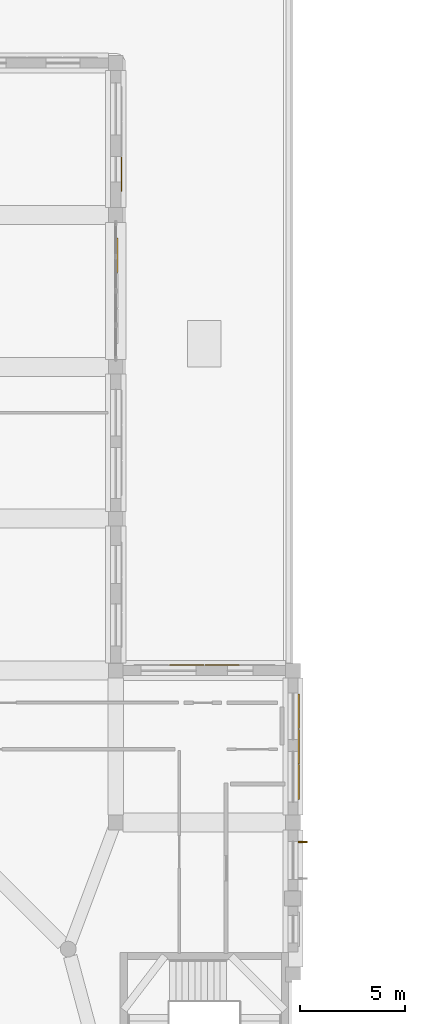
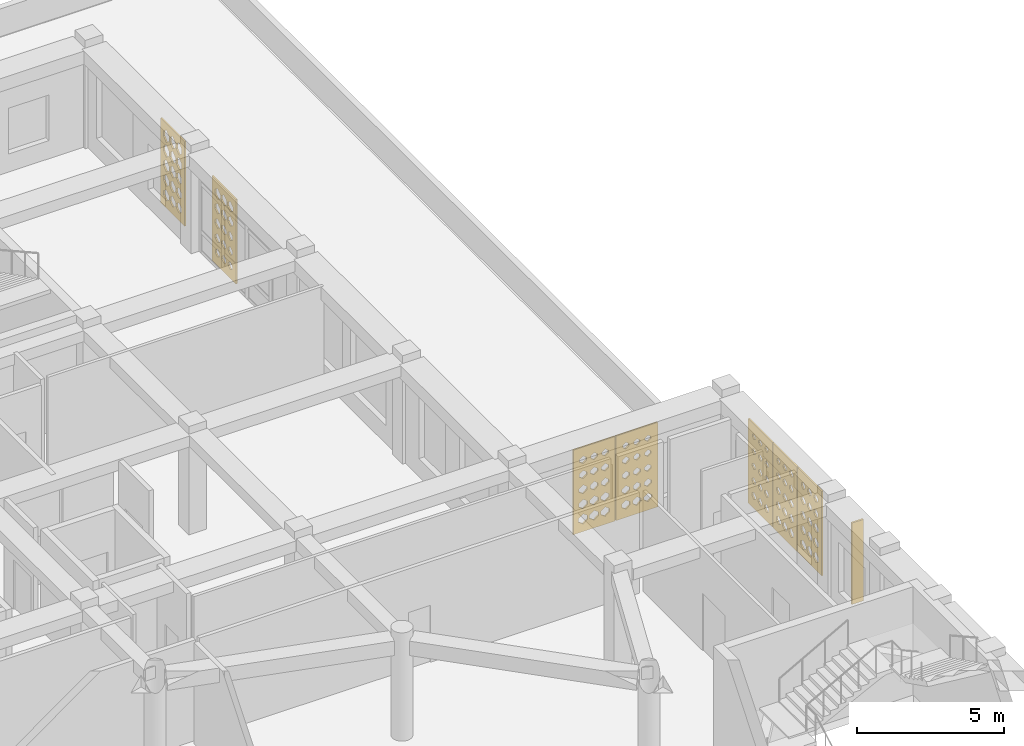
# One storey, part 94 of 100: 7 coverings, 1 shading device.
"""IFC4 building model written with IfcOpenShell, lengths in metres."""

from ifc_helpers import new_model, si_unit, derived_unit, direction, frame, origin, origin_2d, place, context, subcontext, project, spatial, polyline, rectangle, outline, extrude, material, layer, layer_set, type_object, element, save


model = new_model("IFC4")

# Units and contexts
model_context = context("Model", 3, precision=1e-05, world=origin(), true_north=direction((0.0, 1.0)))
body_context = subcontext(model_context, "Body", "Model", "MODEL_VIEW")
ifc_project = project(units=[si_unit("LENGTHUNIT", "METRE"), si_unit("AREAUNIT", "SQUARE_METRE"), si_unit("VOLUMEUNIT", "CUBIC_METRE"), si_unit("PLANEANGLEUNIT", "RADIAN"), si_unit("MASSUNIT", "GRAM", prefix="KILO"), derived_unit("THERMALTRANSMITTANCEUNIT", [(si_unit("POWERUNIT", "WATT"), 1), (si_unit("LENGTHUNIT", "METRE"), -2), (si_unit("THERMODYNAMICTEMPERATUREUNIT", "KELVIN"), -1)])], contexts=[model_context])

# Site, building, storey
site_placement = place(None, origin())
site = spatial("IfcSite", under=ifc_project, at=site_placement, CompositionType="ELEMENT")
building_placement = place(site_placement, origin())
building = spatial("IfcBuilding", under=site, at=building_placement, Name="Veybourne Emporium", CompositionType="ELEMENT")
storey_placement = place(building_placement, frame((0.0, 0.0, 14.39990234375)))
storey = spatial("IfcBuildingStorey", under=building, at=storey_placement, Name="L03", CompositionType="ELEMENT", Elevation=14.39990234375)

# Shading device
ifc_material_1 = material(Name="Patinated Architectural Bronze", Category="bronze")
shading_device_type = type_object("IfcShadingDeviceType", Name="SolarFin_FIN-02", PredefinedType="USERDEFINED", material=ifc_material_1)
shading_device_placement = place(storey_placement, frame((101.263916015625, 63.8740234375, 0.125244140625), z_axis=(0.0, 0.0, 1.0), x_axis=(0.0, -1.0, 0.0)))
element("IfcShadingDevice", 1, at=shading_device_placement, inside=storey, type_object=shading_device_type, Name="L03 bronze brise-soleil fin FIN-02 (57A.1)", ObjectType="FIN", PredefinedType="USERDEFINED", context=body_context, shape_type="SweptSolid", body=[
    extrude(rectangle(XDim=0.074951171875, YDim=0.449951171875, at=origin_2d()), origin(), (0.0, 0.0, 1.0), 3.3798828125),
])

# Coverings
ifc_material_2 = material(Name="Warm-White Perforated Aluminium Screen Alloy", Category="aluminium")
ifc_layer_1 = layer(ifc_material_2, 0.06005859375)
ifc_layer_set_1 = layer_set([ifc_layer_1], Name="Warm-White Perforated Aluminium Screen Alloy")
covering_type_1 = type_object("IfcCoveringType", Name="WaveScreen_SCR-01", PredefinedType="CLADDING", material=ifc_layer_set_1)
covering_1_placement = place(storey_placement, frame((92.697998046875, 95.52001953125, 1.815185546875), z_axis=(-1.0, 0.0, 0.0), x_axis=(0.0, -1.0, 0.0)))
element("IfcCovering", 2, at=covering_1_placement, inside=storey, type_object=covering_type_1, Name="L03 wave-perforated aluminium screen SCR-01 (46.3)", PredefinedType="CLADDING", context=body_context, shape_type="SweptSolid", body=[
    extrude(outline(polyline([(-0.81982421875, -1.7548828125), (0.81982421875, -1.7548828125), (0.81982421875, 1.7548828125), (-0.81982421875, 1.7548828125), (-0.81982421875, -1.7548828125)]), holes=[polyline([(-0.433349609375, -0.999755859375), (-0.2470703125, -1.145751953125), (-0.2470703125, -1.310302734375), (-0.433349609375, -1.456298828125), (-0.61962890625, -1.310302734375), (-0.61962890625, -1.145751953125), (-0.433349609375, -0.999755859375)]), polyline([(-0.433349609375, -0.37353515625), (-0.2470703125, -0.52734375), (-0.2470703125, -0.70068359375), (-0.433349609375, -0.8544921875), (-0.61962890625, -0.70068359375), (-0.61962890625, -0.52734375), (-0.433349609375, -0.37353515625)]), polyline([(-0.433349609375, 0.251220703125), (-0.2470703125, 0.090576171875), (-0.2470703125, -0.090576171875), (-0.433349609375, -0.251220703125), (-0.61962890625, -0.090576171875), (-0.61962890625, 0.090576171875), (-0.433349609375, 0.251220703125)]), polyline([(-0.433349609375, 0.874267578125), (-0.2470703125, 0.707763671875), (-0.2470703125, 0.520263671875), (-0.433349609375, 0.353759765625), (-0.61962890625, 0.520263671875), (-0.61962890625, 0.707763671875), (-0.433349609375, 0.874267578125)]), polyline([(-0.433349609375, 1.491943359375), (-0.2470703125, 1.322998046875), (-0.2470703125, 1.133056640625), (-0.433349609375, 0.964111328125), (-0.61962890625, 1.133056640625), (-0.61962890625, 1.322998046875), (-0.433349609375, 1.491943359375)]), polyline([(0.0, -1.005615234375), (0.186279296875, -1.14794921875), (0.186279296875, -1.30810546875), (0.0, -1.450439453125), (-0.186279296875, -1.30810546875), (-0.186279296875, -1.14794921875), (0.0, -1.005615234375)]), polyline([(0.0, -0.37890625), (0.186279296875, -0.529296875), (0.186279296875, -0.698486328125), (0.0, -0.84912109375), (-0.186279296875, -0.698486328125), (-0.186279296875, -0.529296875), (0.0, -0.37890625)]), polyline([(0.0, 0.24658203125), (0.186279296875, 0.0888671875), (0.186279296875, -0.0888671875), (0.0, -0.24658203125), (-0.186279296875, -0.0888671875), (-0.186279296875, 0.0888671875), (0.0, 0.24658203125)]), polyline([(0.0, 0.870361328125), (0.186279296875, 0.706298828125), (0.186279296875, 0.521728515625), (0.0, 0.357666015625), (-0.186279296875, 0.521728515625), (-0.186279296875, 0.706298828125), (0.0, 0.870361328125)]), polyline([(0.0, 1.491943359375), (0.186279296875, 1.322998046875), (0.186279296875, 1.133056640625), (0.0, 0.964111328125), (-0.186279296875, 1.133056640625), (-0.186279296875, 1.322998046875), (0.0, 1.491943359375)]), polyline([(0.433349609375, -1.01171875), (0.61962890625, -1.150146484375), (0.61962890625, -1.305908203125), (0.433349609375, -1.4443359375), (0.2470703125, -1.305908203125), (0.2470703125, -1.150146484375), (0.433349609375, -1.01171875)]), polyline([(0.433349609375, -0.384521484375), (0.61962890625, -0.531494140625), (0.61962890625, -0.696533203125), (0.433349609375, -0.843505859375), (0.2470703125, -0.696533203125), (0.2470703125, -0.531494140625), (0.433349609375, -0.384521484375)]), polyline([(0.433349609375, 0.24169921875), (0.61962890625, 0.0869140625), (0.61962890625, -0.0869140625), (0.433349609375, -0.24169921875), (0.2470703125, -0.0869140625), (0.2470703125, 0.0869140625), (0.433349609375, 0.24169921875)]), polyline([(0.433349609375, 0.8662109375), (0.61962890625, 0.704833984375), (0.61962890625, 0.523193359375), (0.433349609375, 0.36181640625), (0.2470703125, 0.523193359375), (0.2470703125, 0.704833984375), (0.433349609375, 0.8662109375)]), polyline([(0.433349609375, 1.489013671875), (0.61962890625, 1.322021484375), (0.61962890625, 1.134033203125), (0.433349609375, 0.966796875), (0.2470703125, 1.134033203125), (0.2470703125, 1.322021484375), (0.433349609375, 1.489013671875)])]), origin(), (0.0, 0.0, 1.0), 0.06005859375),
])
covering_2_placement = place(storey_placement, frame((101.09814453125, 66.719970703125, 1.815185546875), z_axis=(-1.0, 0.0, 0.0), x_axis=(0.0, -1.0, 0.0)))
element("IfcCovering", 3, at=covering_2_placement, inside=storey, type_object=covering_type_1, Name="L03 wave-perforated aluminium screen SCR-01 (58.3)", PredefinedType="CLADDING", context=body_context, shape_type="SweptSolid", body=[
    extrude(outline(polyline([(-0.81982421875, -1.7548828125), (0.81982421875, -1.7548828125), (0.81982421875, 1.7548828125), (-0.81982421875, 1.7548828125), (-0.81982421875, -1.7548828125)]), holes=[polyline([(-0.433349609375, -1.02880859375), (-0.260498046875, -1.15625), (-0.260498046875, -1.2998046875), (-0.433349609375, -1.42724609375), (-0.606201171875, -1.2998046875), (-0.606201171875, -1.15625), (-0.433349609375, -1.02880859375)]), polyline([(-0.433349609375, -0.428955078125), (-0.27197265625, -0.54736328125), (-0.27197265625, -0.6806640625), (-0.433349609375, -0.799072265625), (-0.5947265625, -0.6806640625), (-0.5947265625, -0.54736328125), (-0.433349609375, -0.428955078125)]), polyline([(-0.433349609375, 0.171142578125), (-0.283447265625, 0.0615234375), (-0.283447265625, -0.0615234375), (-0.433349609375, -0.171142578125), (-0.583251953125, -0.0615234375), (-0.583251953125, 0.0615234375), (-0.433349609375, 0.171142578125)]), polyline([(-0.433349609375, 0.771728515625), (-0.294189453125, 0.6708984375), (-0.294189453125, 0.55712890625), (-0.433349609375, 0.456298828125), (-0.572509765625, 0.55712890625), (-0.572509765625, 0.6708984375), (-0.433349609375, 0.771728515625)]), polyline([(-0.433349609375, 1.37353515625), (-0.30419921875, 1.280517578125), (-0.30419921875, 1.175537109375), (-0.433349609375, 1.08251953125), (-0.5625, 1.175537109375), (-0.5625, 1.280517578125), (-0.433349609375, 1.37353515625)]), polyline([(0.0, -1.0224609375), (0.17822265625, -1.154052734375), (0.17822265625, -1.302001953125), (0.0, -1.43359375), (-0.17822265625, -1.302001953125), (-0.17822265625, -1.154052734375), (0.0, -1.0224609375)]), polyline([(0.0, -0.422607421875), (0.16650390625, -0.545166015625), (0.16650390625, -0.682861328125), (0.0, -0.805419921875), (-0.16650390625, -0.682861328125), (-0.16650390625, -0.545166015625), (0.0, -0.422607421875)]), polyline([(0.0, 0.177490234375), (0.155029296875, 0.06396484375), (0.155029296875, -0.06396484375), (0.0, -0.177490234375), (-0.155029296875, -0.06396484375), (-0.155029296875, 0.06396484375), (0.0, 0.177490234375)]), polyline([(0.0, 0.777587890625), (0.143798828125, 0.6728515625), (0.143798828125, 0.55517578125), (0.0, 0.4501953125), (-0.143798828125, 0.55517578125), (-0.143798828125, 0.6728515625), (0.0, 0.777587890625)]), polyline([(0.0, 1.37890625), (0.133544921875, 1.2822265625), (0.133544921875, 1.173583984375), (0.0, 1.0771484375), (-0.133544921875, 1.173583984375), (-0.133544921875, 1.2822265625), (0.0, 1.37890625)]), polyline([(0.433349609375, -1.01611328125), (0.61669921875, -1.151611328125), (0.61669921875, -1.30419921875), (0.433349609375, -1.43994140625), (0.25, -1.30419921875), (0.25, -1.151611328125), (0.433349609375, -1.01611328125)]), polyline([(0.433349609375, -0.416015625), (0.605224609375, -0.542724609375), (0.605224609375, -0.685302734375), (0.433349609375, -0.81201171875), (0.261474609375, -0.685302734375), (0.261474609375, -0.542724609375), (0.433349609375, -0.416015625)]), polyline([(0.433349609375, 0.18359375), (0.59375, 0.066162109375), (0.59375, -0.066162109375), (0.433349609375, -0.18359375), (0.27294921875, -0.066162109375), (0.27294921875, 0.066162109375), (0.433349609375, 0.18359375)]), polyline([(0.433349609375, 0.78369140625), (0.582275390625, 0.675048828125), (0.582275390625, 0.552978515625), (0.433349609375, 0.444091796875), (0.284423828125, 0.552978515625), (0.284423828125, 0.675048828125), (0.433349609375, 0.78369140625)]), polyline([(0.433349609375, 1.384521484375), (0.571533203125, 1.284423828125), (0.571533203125, 1.171630859375), (0.433349609375, 1.0712890625), (0.295166015625, 1.171630859375), (0.295166015625, 1.284423828125), (0.433349609375, 1.384521484375)])]), origin(), (0.0, 0.0, 1.0), 0.06005859375),
])
covering_3_placement = place(storey_placement, frame((95.760009765625, 72.298095703125, 1.815185546875), z_axis=(0.0, -1.0, 0.0), x_axis=(1.0, 0.0, 0.0)))
element("IfcCovering", 4, at=covering_3_placement, inside=storey, type_object=covering_type_1, Name="L03 wave-perforated aluminium screen SCR-01 (59.2)", PredefinedType="CLADDING", context=body_context, shape_type="SweptSolid", body=[
    extrude(outline(polyline([(-0.81982421875, -1.7548828125), (0.81982421875, -1.7548828125), (0.81982421875, 1.7548828125), (-0.81982421875, 1.7548828125), (-0.81982421875, -1.7548828125)]), holes=[polyline([(-0.433349609375, -1.01953125), (-0.252685546875, -1.153076171875), (-0.252685546875, -1.302978515625), (-0.433349609375, -1.436279296875), (-0.614013671875, -1.302978515625), (-0.614013671875, -1.153076171875), (-0.433349609375, -1.01953125)]), polyline([(-0.433349609375, -0.419677734375), (-0.264404296875, -0.5439453125), (-0.264404296875, -0.68408203125), (-0.433349609375, -0.808349609375), (-0.602294921875, -0.68408203125), (-0.602294921875, -0.5439453125), (-0.433349609375, -0.419677734375)]), polyline([(-0.433349609375, 0.18017578125), (-0.27587890625, 0.06494140625), (-0.27587890625, -0.06494140625), (-0.433349609375, -0.18017578125), (-0.5908203125, -0.06494140625), (-0.5908203125, 0.06494140625), (-0.433349609375, 0.18017578125)]), polyline([(-0.433349609375, 0.780517578125), (-0.287109375, 0.673828125), (-0.287109375, 0.55419921875), (-0.433349609375, 0.447509765625), (-0.57958984375, 0.55419921875), (-0.57958984375, 0.673828125), (-0.433349609375, 0.780517578125)]), polyline([(-0.433349609375, 1.38134765625), (-0.2978515625, 1.283203125), (-0.2978515625, 1.1728515625), (-0.433349609375, 1.07470703125), (-0.56884765625, 1.1728515625), (-0.56884765625, 1.283203125), (-0.433349609375, 1.38134765625)]), polyline([(0.0, -1.02587890625), (0.17529296875, -1.1552734375), (0.17529296875, -1.30078125), (0.0, -1.43017578125), (-0.17529296875, -1.30078125), (-0.17529296875, -1.1552734375), (0.0, -1.02587890625)]), polyline([(0.0, -0.426025390625), (0.163818359375, -0.54638671875), (0.163818359375, -0.681640625), (0.0, -0.802001953125), (-0.163818359375, -0.681640625), (-0.163818359375, -0.54638671875), (0.0, -0.426025390625)]), polyline([(0.0, 0.173828125), (0.15234375, 0.0625), (0.15234375, -0.0625), (0.0, -0.173828125), (-0.15234375, -0.0625), (-0.15234375, 0.0625), (0.0, 0.173828125)]), polyline([(0.0, 0.7744140625), (0.14111328125, 0.671630859375), (0.14111328125, 0.556396484375), (0.0, 0.45361328125), (-0.14111328125, 0.556396484375), (-0.14111328125, 0.671630859375), (0.0, 0.7744140625)]), polyline([(0.0, 1.3759765625), (0.131103515625, 1.28125), (0.131103515625, 1.1748046875), (0.0, 1.080078125), (-0.131103515625, 1.1748046875), (-0.131103515625, 1.28125), (0.0, 1.3759765625)]), polyline([(0.433349609375, -1.032470703125), (0.603515625, -1.15771484375), (0.603515625, -1.29833984375), (0.433349609375, -1.423583984375), (0.26318359375, -1.29833984375), (0.26318359375, -1.15771484375), (0.433349609375, -1.032470703125)]), polyline([(0.433349609375, -0.4326171875), (0.591796875, -0.548583984375), (0.591796875, -0.67919921875), (0.433349609375, -0.79541015625), (0.27490234375, -0.67919921875), (0.27490234375, -0.548583984375), (0.433349609375, -0.4326171875)]), polyline([(0.433349609375, 0.167724609375), (0.58056640625, 0.060302734375), (0.58056640625, -0.060302734375), (0.433349609375, -0.167724609375), (0.2861328125, -0.060302734375), (0.2861328125, 0.060302734375), (0.433349609375, 0.167724609375)]), polyline([(0.433349609375, 0.7685546875), (0.56982421875, 0.669677734375), (0.56982421875, 0.558349609375), (0.433349609375, 0.45947265625), (0.296875, 0.558349609375), (0.296875, 0.669677734375), (0.433349609375, 0.7685546875)]), polyline([(0.433349609375, 1.37060546875), (0.56005859375, 1.279296875), (0.56005859375, 1.1767578125), (0.433349609375, 1.08544921875), (0.306640625, 1.1767578125), (0.306640625, 1.279296875), (0.433349609375, 1.37060546875)])]), origin(), (0.0, 0.0, 1.0), 0.06005859375),
])
ifc_layer_2 = layer(ifc_material_2, 0.06005859375)
ifc_layer_set_2 = layer_set([ifc_layer_2], Name="Warm-White Perforated Aluminium Screen Alloy")
covering_type_2 = type_object("IfcCoveringType", Name="WaveScreen_SCR-02", PredefinedType="CLADDING", material=ifc_layer_set_2)
covering_4_placement = place(storey_placement, frame((92.49560546875, 91.679931640625, 1.815185546875), z_axis=(-1.0, 0.0, 0.0), x_axis=(0.0, -1.0, 0.0)))
element("IfcCovering", 5, at=covering_4_placement, inside=storey, type_object=covering_type_2, Name="L03 wave-perforated aluminium screen SCR-02 (45C.1)", PredefinedType="CLADDING", context=body_context, shape_type="SweptSolid", body=[
    extrude(outline(polyline([(-0.81982421875, -1.7548828125), (0.81982421875, -1.7548828125), (0.81982421875, 1.7548828125), (-0.81982421875, 1.7548828125), (-0.81982421875, -1.7548828125)]), holes=[polyline([(-0.433349609375, -1.05810546875), (-0.284423828125, -1.1669921875), (-0.284423828125, -1.2890625), (-0.433349609375, -1.397705078125), (-0.582275390625, -1.2890625), (-0.582275390625, -1.1669921875), (-0.433349609375, -1.05810546875)]), polyline([(-0.433349609375, -0.430419921875), (-0.27294921875, -0.5478515625), (-0.27294921875, -0.68017578125), (-0.433349609375, -0.797607421875), (-0.593505859375, -0.68017578125), (-0.593505859375, -0.5478515625), (-0.433349609375, -0.430419921875)]), polyline([(-0.433349609375, 0.197998046875), (-0.261474609375, 0.0712890625), (-0.261474609375, -0.0712890625), (-0.433349609375, -0.197998046875), (-0.605224609375, -0.0712890625), (-0.605224609375, 0.0712890625), (-0.433349609375, 0.197998046875)]), polyline([(-0.433349609375, 0.825927734375), (-0.25, 0.690185546875), (-0.25, 0.53759765625), (-0.433349609375, 0.402099609375), (-0.61669921875, 0.53759765625), (-0.61669921875, 0.690185546875), (-0.433349609375, 0.825927734375)]), polyline([(-0.433349609375, 1.453369140625), (-0.2470703125, 1.30908203125), (-0.2470703125, 1.14697265625), (-0.433349609375, 1.002685546875), (-0.61962890625, 1.14697265625), (-0.61962890625, 1.30908203125), (-0.433349609375, 1.453369140625)]), polyline([(0.0, -1.064208984375), (0.143798828125, -1.169189453125), (0.143798828125, -1.286865234375), (0.0, -1.3916015625), (-0.143798828125, -1.286865234375), (-0.143798828125, -1.169189453125), (0.0, -1.064208984375)]), polyline([(0.0, -0.4365234375), (0.155029296875, -0.55029296875), (0.155029296875, -0.677734375), (0.0, -0.79150390625), (-0.155029296875, -0.677734375), (-0.155029296875, -0.55029296875), (0.0, -0.4365234375)]), polyline([(0.0, 0.19140625), (0.16650390625, 0.06884765625), (0.16650390625, -0.06884765625), (0.0, -0.19140625), (-0.16650390625, -0.06884765625), (-0.16650390625, 0.06884765625), (0.0, 0.19140625)]), polyline([(0.0, 0.819580078125), (0.17822265625, 0.68798828125), (0.17822265625, 0.5400390625), (0.0, 0.408447265625), (-0.17822265625, 0.5400390625), (-0.17822265625, 0.68798828125), (0.0, 0.819580078125)]), polyline([(0.0, 1.447265625), (0.186279296875, 1.306884765625), (0.186279296875, 1.14892578125), (0.0, 1.0087890625), (-0.186279296875, 1.14892578125), (-0.186279296875, 1.306884765625), (0.0, 1.447265625)]), polyline([(0.433349609375, -1.0703125), (0.572509765625, -1.171142578125), (0.572509765625, -1.284912109375), (0.433349609375, -1.3857421875), (0.294189453125, -1.284912109375), (0.294189453125, -1.171142578125), (0.433349609375, -1.0703125)]), polyline([(0.433349609375, -0.44287109375), (0.583251953125, -0.552490234375), (0.583251953125, -0.675537109375), (0.433349609375, -0.78515625), (0.283447265625, -0.675537109375), (0.283447265625, -0.552490234375), (0.433349609375, -0.44287109375)]), polyline([(0.433349609375, 0.18505859375), (0.5947265625, 0.066650390625), (0.5947265625, -0.066650390625), (0.433349609375, -0.18505859375), (0.27197265625, -0.066650390625), (0.27197265625, 0.066650390625), (0.433349609375, 0.18505859375)]), polyline([(0.433349609375, 0.813232421875), (0.606201171875, 0.685791015625), (0.606201171875, 0.542236328125), (0.433349609375, 0.414794921875), (0.260498046875, 0.542236328125), (0.260498046875, 0.685791015625), (0.433349609375, 0.813232421875)]), polyline([(0.433349609375, 1.441162109375), (0.61767578125, 1.3046875), (0.61767578125, 1.1513671875), (0.433349609375, 1.014892578125), (0.248779296875, 1.1513671875), (0.248779296875, 1.3046875), (0.433349609375, 1.441162109375)])]), origin(), (0.0, 0.0, 1.0), 0.06005859375),
])
covering_5_placement = place(storey_placement, frame((97.43994140625, 72.298095703125, 1.815185546875), z_axis=(0.0, -1.0, 0.0), x_axis=(1.0, 0.0, 0.0)))
element("IfcCovering", 6, at=covering_5_placement, inside=storey, type_object=covering_type_2, Name="L03 wave-perforated aluminium screen SCR-02 (59.3)", PredefinedType="CLADDING", context=body_context, shape_type="SweptSolid", body=[
    extrude(outline(polyline([(-0.81982421875, -1.7548828125), (0.81982421875, -1.7548828125), (0.81982421875, 1.7548828125), (-0.81982421875, 1.7548828125), (-0.81982421875, -1.7548828125)]), holes=[polyline([(-0.433349609375, -1.04443359375), (-0.273193359375, -1.161865234375), (-0.273193359375, -1.294189453125), (-0.433349609375, -1.41162109375), (-0.593505859375, -1.294189453125), (-0.593505859375, -1.161865234375), (-0.433349609375, -1.04443359375)]), polyline([(-0.433349609375, -0.4443359375), (-0.284423828125, -0.552978515625), (-0.284423828125, -0.675048828125), (-0.433349609375, -0.78369140625), (-0.582275390625, -0.675048828125), (-0.582275390625, -0.552978515625), (-0.433349609375, -0.4443359375)]), polyline([(-0.433349609375, 0.156494140625), (-0.29541015625, 0.056396484375), (-0.29541015625, -0.056396484375), (-0.433349609375, -0.156494140625), (-0.5712890625, -0.056396484375), (-0.5712890625, 0.056396484375), (-0.433349609375, 0.156494140625)]), polyline([(-0.433349609375, 0.75830078125), (-0.305419921875, 0.666015625), (-0.305419921875, 0.56201171875), (-0.433349609375, 0.4697265625), (-0.561279296875, 0.56201171875), (-0.561279296875, 0.666015625), (-0.433349609375, 0.75830078125)]), polyline([(-0.433349609375, 1.361572265625), (-0.314208984375, 1.276123046875), (-0.314208984375, 1.179931640625), (-0.433349609375, 1.094482421875), (-0.552490234375, 1.179931640625), (-0.552490234375, 1.276123046875), (-0.433349609375, 1.361572265625)]), polyline([(0.0, -1.05078125), (0.155029296875, -1.164306640625), (0.155029296875, -1.291748046875), (0.0, -1.4052734375), (-0.155029296875, -1.291748046875), (-0.155029296875, -1.164306640625), (0.0, -1.05078125)]), polyline([(0.0, -0.450439453125), (0.143798828125, -0.55517578125), (0.143798828125, -0.6728515625), (0.0, -0.777587890625), (-0.143798828125, -0.6728515625), (-0.143798828125, -0.55517578125), (0.0, -0.450439453125)]), polyline([(0.0, 0.15087890625), (0.13330078125, 0.05419921875), (0.13330078125, -0.05419921875), (0.0, -0.15087890625), (-0.13330078125, -0.05419921875), (-0.13330078125, 0.05419921875), (0.0, 0.15087890625)]), polyline([(0.0, 0.753173828125), (0.123779296875, 0.6640625), (0.123779296875, 0.56396484375), (0.0, 0.474853515625), (-0.123779296875, 0.56396484375), (-0.123779296875, 0.6640625), (0.0, 0.753173828125)]), polyline([(0.0, 1.357177734375), (0.11572265625, 1.2744140625), (0.11572265625, 1.181396484375), (0.0, 1.098876953125), (-0.11572265625, 1.181396484375), (-0.11572265625, 1.2744140625), (0.0, 1.357177734375)]), polyline([(0.433349609375, -1.05712890625), (0.583251953125, -1.16650390625), (0.583251953125, -1.28955078125), (0.433349609375, -1.39892578125), (0.283447265625, -1.28955078125), (0.283447265625, -1.16650390625), (0.433349609375, -1.05712890625)]), polyline([(0.433349609375, -0.456298828125), (0.572265625, -0.55712890625), (0.572265625, -0.6708984375), (0.433349609375, -0.771484375), (0.29443359375, -0.6708984375), (0.29443359375, -0.55712890625), (0.433349609375, -0.456298828125)]), polyline([(0.433349609375, 0.1455078125), (0.562255859375, 0.05224609375), (0.562255859375, -0.05224609375), (0.433349609375, -0.1455078125), (0.304443359375, -0.05224609375), (0.304443359375, 0.05224609375), (0.433349609375, 0.1455078125)]), polyline([(0.433349609375, 0.74853515625), (0.553466796875, 0.662353515625), (0.553466796875, 0.565673828125), (0.433349609375, 0.4794921875), (0.313232421875, 0.565673828125), (0.313232421875, 0.662353515625), (0.433349609375, 0.74853515625)]), polyline([(0.433349609375, 1.353271484375), (0.5458984375, 1.273193359375), (0.5458984375, 1.182861328125), (0.433349609375, 1.102783203125), (0.32080078125, 1.182861328125), (0.32080078125, 1.273193359375), (0.433349609375, 1.353271484375)])]), origin(), (0.0, 0.0, 1.0), 0.06005859375),
])
ifc_layer_3 = layer(ifc_material_2, 0.06005859375)
ifc_layer_set_3 = layer_set([ifc_layer_3], Name="Warm-White Perforated Aluminium Screen Alloy")
covering_type_3 = type_object("IfcCoveringType", Name="WaveScreen_SCR-03", PredefinedType="CLADDING", material=ifc_layer_set_3)
covering_6_placement = place(storey_placement, frame((101.09814453125, 70.080078125, 1.815185546875), z_axis=(-1.0, 0.0, 0.0), x_axis=(0.0, -1.0, 0.0)))
element("IfcCovering", 7, at=covering_6_placement, inside=storey, type_object=covering_type_3, Name="L03 wave-perforated aluminium screen SCR-03 (58.1)", PredefinedType="CLADDING", context=body_context, shape_type="SweptSolid", body=[
    extrude(outline(polyline([(-0.81982421875, -1.7548828125), (0.81982421875, -1.7548828125), (0.81982421875, 1.7548828125), (-0.81982421875, 1.7548828125), (-0.81982421875, -1.7548828125)]), holes=[polyline([(-0.433349609375, -1.07666015625), (-0.299560546875, -1.173583984375), (-0.299560546875, -1.282470703125), (-0.433349609375, -1.37939453125), (-0.567138671875, -1.282470703125), (-0.567138671875, -1.173583984375), (-0.433349609375, -1.07666015625)]), polyline([(-0.433349609375, -0.474365234375), (-0.30908203125, -0.563720703125), (-0.30908203125, -0.664306640625), (-0.433349609375, -0.753662109375), (-0.5576171875, -0.664306640625), (-0.5576171875, -0.563720703125), (-0.433349609375, -0.474365234375)]), polyline([(-0.433349609375, 0.129638671875), (-0.3173828125, 0.046630859375), (-0.3173828125, -0.046630859375), (-0.433349609375, -0.129638671875), (-0.54931640625, -0.046630859375), (-0.54931640625, 0.046630859375), (-0.433349609375, 0.129638671875)]), polyline([(-0.433349609375, 0.7353515625), (-0.323974609375, 0.65771484375), (-0.323974609375, 0.5703125), (-0.433349609375, 0.49267578125), (-0.54248046875, 0.5703125), (-0.54248046875, 0.65771484375), (-0.433349609375, 0.7353515625)]), polyline([(-0.433349609375, 1.34326171875), (-0.3291015625, 1.26953125), (-0.3291015625, 1.1865234375), (-0.433349609375, 1.11279296875), (-0.53759765625, 1.1865234375), (-0.53759765625, 1.26953125), (-0.433349609375, 1.34326171875)]), polyline([(0.0, -1.071044921875), (0.138427734375, -1.17138671875), (0.138427734375, -1.284423828125), (0.0, -1.385009765625), (-0.138427734375, -1.284423828125), (-0.138427734375, -1.17138671875), (0.0, -1.071044921875)]), polyline([(0.0, -0.46923828125), (0.12841796875, -0.56201171875), (0.12841796875, -0.666015625), (0.0, -0.7587890625), (-0.12841796875, -0.666015625), (-0.12841796875, -0.56201171875), (0.0, -0.46923828125)]), polyline([(0.0, 0.1337890625), (0.11962890625, 0.048095703125), (0.11962890625, -0.048095703125), (0.0, -0.1337890625), (-0.11962890625, -0.048095703125), (-0.11962890625, 0.048095703125), (0.0, 0.1337890625)]), polyline([(0.0, 0.739013671875), (0.1123046875, 0.658935546875), (0.1123046875, 0.569091796875), (0.0, 0.489013671875), (-0.1123046875, 0.569091796875), (-0.1123046875, 0.658935546875), (0.0, 0.739013671875)]), polyline([(0.0, 1.345703125), (0.1064453125, 1.2705078125), (0.1064453125, 1.185546875), (0.0, 1.110107421875), (-0.1064453125, 1.185546875), (-0.1064453125, 1.2705078125), (0.0, 1.345703125)]), polyline([(0.433349609375, -1.065185546875), (0.57666015625, -1.16943359375), (0.57666015625, -1.28662109375), (0.433349609375, -1.390869140625), (0.2900390625, -1.28662109375), (0.2900390625, -1.16943359375), (0.433349609375, -1.065185546875)]), polyline([(0.433349609375, -0.4638671875), (0.566162109375, -0.56005859375), (0.566162109375, -0.66796875), (0.433349609375, -0.76416015625), (0.300537109375, -0.66796875), (0.300537109375, -0.56005859375), (0.433349609375, -0.4638671875)]), polyline([(0.433349609375, 0.138671875), (0.556884765625, 0.0498046875), (0.556884765625, -0.0498046875), (0.433349609375, -0.138671875), (0.309814453125, -0.0498046875), (0.309814453125, 0.0498046875), (0.433349609375, 0.138671875)]), polyline([(0.433349609375, 0.74267578125), (0.548583984375, 0.660400390625), (0.548583984375, 0.567626953125), (0.433349609375, 0.4853515625), (0.318115234375, 0.567626953125), (0.318115234375, 0.660400390625), (0.433349609375, 0.74267578125)]), polyline([(0.433349609375, 1.3486328125), (0.5419921875, 1.271484375), (0.5419921875, 1.1845703125), (0.433349609375, 1.107421875), (0.32470703125, 1.1845703125), (0.32470703125, 1.271484375), (0.433349609375, 1.3486328125)])]), origin(), (0.0, 0.0, 1.0), 0.06005859375),
])
ifc_layer_4 = layer(ifc_material_2, 0.06005859375)
ifc_layer_set_4 = layer_set([ifc_layer_4], Name="Warm-White Perforated Aluminium Screen Alloy")
covering_type_4 = type_object("IfcCoveringType", Name="WaveScreen_SCR-04", PredefinedType="CLADDING", material=ifc_layer_set_4)
covering_7_placement = place(storey_placement, frame((101.09814453125, 68.39990234375, 1.815185546875), z_axis=(-1.0, 0.0, 0.0), x_axis=(0.0, -1.0, 0.0)))
element("IfcCovering", 8, at=covering_7_placement, inside=storey, type_object=covering_type_4, Name="L03 wave-perforated aluminium screen SCR-04 (58.2)", PredefinedType="CLADDING", context=body_context, shape_type="SweptSolid", body=[
    extrude(outline(polyline([(-0.81982421875, -1.7548828125), (0.81982421875, -1.7548828125), (0.81982421875, 1.7548828125), (-0.81982421875, 1.7548828125), (-0.81982421875, -1.7548828125)]), holes=[polyline([(-0.433349609375, -1.0537109375), (-0.280517578125, -1.165283203125), (-0.280517578125, -1.290771484375), (-0.433349609375, -1.40234375), (-0.5859375, -1.290771484375), (-0.5859375, -1.165283203125), (-0.433349609375, -1.0537109375)]), polyline([(-0.433349609375, -0.453125), (-0.291748046875, -0.55615234375), (-0.291748046875, -0.671875), (-0.433349609375, -0.77490234375), (-0.574951171875, -0.671875), (-0.574951171875, -0.55615234375), (-0.433349609375, -0.453125)]), polyline([(-0.433349609375, 0.148193359375), (-0.302001953125, 0.053466796875), (-0.302001953125, -0.053466796875), (-0.433349609375, -0.148193359375), (-0.564697265625, -0.053466796875), (-0.564697265625, 0.053466796875), (-0.433349609375, 0.148193359375)]), polyline([(-0.433349609375, 0.751220703125), (-0.311279296875, 0.663330078125), (-0.311279296875, 0.564697265625), (-0.433349609375, 0.476806640625), (-0.555419921875, 0.564697265625), (-0.555419921875, 0.663330078125), (-0.433349609375, 0.751220703125)]), polyline([(-0.433349609375, 1.35546875), (-0.319091796875, 1.27392578125), (-0.319091796875, 1.18212890625), (-0.433349609375, 1.1005859375), (-0.547607421875, 1.18212890625), (-0.547607421875, 1.27392578125), (-0.433349609375, 1.35546875)]), polyline([(0.0, -1.04736328125), (0.157958984375, -1.162841796875), (0.157958984375, -1.293212890625), (0.0, -1.40869140625), (-0.157958984375, -1.293212890625), (-0.157958984375, -1.162841796875), (0.0, -1.04736328125)]), polyline([(0.0, -0.447021484375), (0.146484375, -0.553955078125), (0.146484375, -0.674072265625), (0.0, -0.781005859375), (-0.146484375, -0.674072265625), (-0.146484375, -0.553955078125), (0.0, -0.447021484375)]), polyline([(0.0, 0.15380859375), (0.135986328125, 0.055419921875), (0.135986328125, -0.055419921875), (0.0, -0.15380859375), (-0.135986328125, -0.055419921875), (-0.135986328125, 0.055419921875), (0.0, 0.15380859375)]), polyline([(0.0, 0.756103515625), (0.126220703125, 0.6650390625), (0.126220703125, 0.56298828125), (0.0, 0.471923828125), (-0.126220703125, 0.56298828125), (-0.126220703125, 0.6650390625), (0.0, 0.756103515625)]), polyline([(0.0, 1.359619140625), (0.11767578125, 1.275390625), (0.11767578125, 1.1806640625), (0.0, 1.096435546875), (-0.11767578125, 1.1806640625), (-0.11767578125, 1.275390625), (0.0, 1.359619140625)]), polyline([(0.433349609375, -1.041015625), (0.596435546875, -1.16064453125), (0.596435546875, -1.29541015625), (0.433349609375, -1.4150390625), (0.270263671875, -1.29541015625), (0.270263671875, -1.16064453125), (0.433349609375, -1.041015625)]), polyline([(0.433349609375, -0.44091796875), (0.5849609375, -0.5517578125), (0.5849609375, -0.67626953125), (0.433349609375, -0.787109375), (0.28173828125, -0.67626953125), (0.28173828125, -0.5517578125), (0.433349609375, -0.44091796875)]), polyline([(0.433349609375, 0.15966796875), (0.573974609375, 0.0576171875), (0.573974609375, -0.0576171875), (0.433349609375, -0.15966796875), (0.292724609375, -0.0576171875), (0.292724609375, 0.0576171875), (0.433349609375, 0.15966796875)]), polyline([(0.433349609375, 0.76123046875), (0.563720703125, 0.6669921875), (0.563720703125, 0.56103515625), (0.433349609375, 0.466796875), (0.302978515625, 0.56103515625), (0.302978515625, 0.6669921875), (0.433349609375, 0.76123046875)]), polyline([(0.433349609375, 1.364013671875), (0.5546875, 1.277099609375), (0.5546875, 1.178955078125), (0.433349609375, 1.091796875), (0.31201171875, 1.178955078125), (0.31201171875, 1.277099609375), (0.433349609375, 1.364013671875)])]), origin(), (0.0, 0.0, 1.0), 0.06005859375),
])

save(model, "model.ifc")
